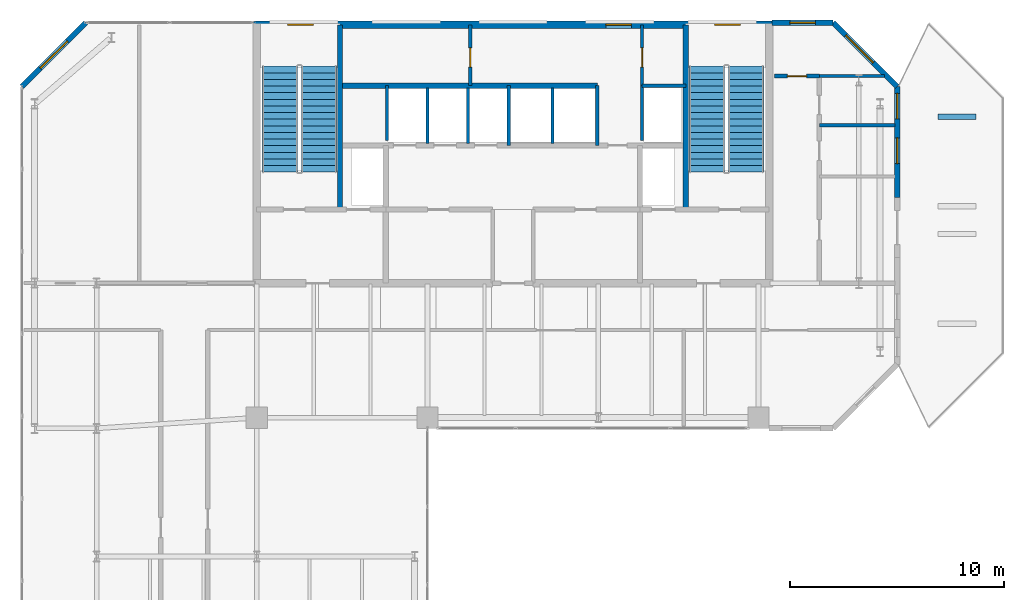
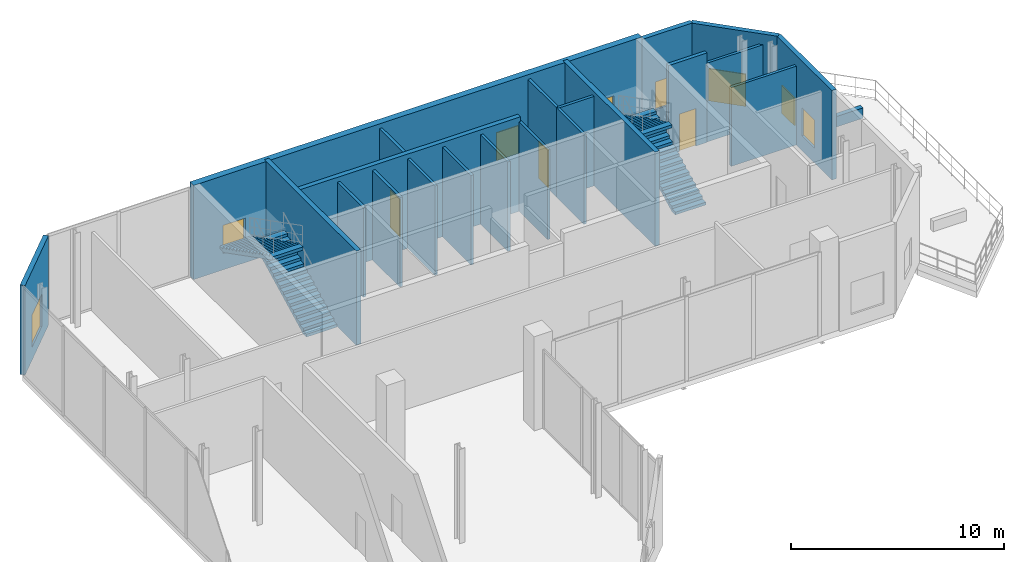
# One storey, part 15 of 17: 22 walls, 8 windows, 4 stair flights, 3 doors, 11 openings, 2 elements without a shape of their own.
"""IFC4 building model written with IfcOpenShell, lengths in metres."""

from ifc_helpers import new_model, si_unit, direction, frame, frame_2d, origin, place, context, subcontext, project, spatial, polyline, rectangle, outline, extrude, material, layer, layer_set, type_object, element, fill, aggregate, save


model = new_model("IFC4")

# Units and contexts
model_context = context("Model", 3, precision=1e-05, world=origin(), true_north=direction((0.0, 1.0)))
body_context = subcontext(model_context, "Body", "Model", "MODEL_VIEW")
ifc_project = project(units=[si_unit("LENGTHUNIT", "METRE"), si_unit("AREAUNIT", "SQUARE_METRE"), si_unit("VOLUMEUNIT", "CUBIC_METRE"), si_unit("PLANEANGLEUNIT", "RADIAN"), si_unit("MASSUNIT", "GRAM", prefix="KILO")], contexts=[model_context])

# Site, building, storey
site_placement = place(None, origin())
site = spatial("IfcSite", under=ifc_project, at=site_placement, CompositionType="ELEMENT")
building_placement = place(site_placement, origin())
building = spatial("IfcBuilding", under=site, at=building_placement, Name="Catumbela Crestline Tower", CompositionType="ELEMENT")
storey_placement = place(building_placement, frame((0.0, 0.0, 213.0)))
storey = spatial("IfcBuildingStorey", under=building, at=storey_placement, Name="L55", CompositionType="ELEMENT", Elevation=213.0)

# Walls
ifc_material_1 = material(Name="Concrete C50/60", Category="concrete")
ifc_layer_1 = layer(ifc_material_1, 0.25, Name="Concrete C50/60")
ifc_layer_set_1 = layer_set([ifc_layer_1], Name="Concrete C50/60")
wall_type_1 = type_object("IfcWallType", Name="CW-250D", PredefinedType="SHEAR", material=ifc_layer_set_1)
for number, where, z_axis, x_axis, name in (
    (1, (19.9, 34.25, 0.0), (0.0, 0.0, 1.0), (0.0, 1.0, 0.0), "L55 Structural Core Shear Wall WWEB"),
    (2, (36.1, 34.25, 0.0), (0.0, 0.0, 1.0), (0.0, 1.0, 0.0), "L55 Structural Core Shear Wall EWEB"),
):
    element("IfcWall", number, at=place(storey_placement, frame(where, z_axis=z_axis, x_axis=x_axis)), inside=storey, type_object=wall_type_1, Name=name, PredefinedType="SHEAR", context=body_context, shape_type="SweptSolid", body=[
        extrude(rectangle(XDim=8.65, YDim=0.25, at=frame_2d((4.325, 0.0))), origin(), (0.0, 0.0, 1.0), 5.4),
    ])
wall_1_placement = place(storey_placement, frame((19.9, 40.05, 0.0), z_axis=(0.0, 0.0, 1.0), x_axis=(1.0, 0.0, 0.0)))
element("IfcWall", 3, at=wall_1_placement, inside=storey, type_object=wall_type_1, Name="L55 Structural Core Shear Wall COREN", PredefinedType="SHEAR", context=body_context, shape_type="SweptSolid", body=[
    extrude(rectangle(XDim=12.05, YDim=0.25, at=frame_2d((6.025, 0.0))), origin(), (0.0, 0.0, 1.0), 5.4),
])

# Wall, openings, windows
ifc_layer_2 = layer(ifc_material_1, 0.35, Name="Concrete C50/60")
ifc_layer_set_2 = layer_set([ifc_layer_2], Name="Concrete C50/60")
wall_type_2 = type_object("IfcWallType", Name="CW-350E", PredefinedType="SHEAR", material=ifc_layer_set_2)
wall_2_placement = place(storey_placement, frame((15.85, 42.9, 0.0), z_axis=(0.0, 0.0, 1.0), x_axis=(1.0, 0.0, 0.0)))
wall_2 = element("IfcWall", 4, at=wall_2_placement, inside=storey, type_object=wall_type_2, Name="L55 Structural Core Shear Wall N", PredefinedType="SHEAR", context=body_context, shape_type="SweptSolid", body=[
    extrude(rectangle(XDim=24.3, YDim=0.35, at=frame_2d((12.15, 0.0))), origin(), (0.0, 0.0, 1.0), 5.4),
])
opening_1_placement = place(wall_2_placement, frame((1.6, 0.0, 0.95)))
opening_1 = element("IfcOpeningElement", 5, at=opening_1_placement, cuts=wall_2, Name="Opening WN-02", PredefinedType="OPENING", context=body_context, shape_type="SweptSolid", body=[
    extrude(rectangle(XDim=1.2, YDim=1.6, at=frame_2d((0.6, 0.8))), frame((0.0, 0.185, 0.0), z_axis=(0.0, -1.0, 0.0), x_axis=(1.0, 0.0, 0.0)), (0.0, 0.0, 1.0), 0.37),
])
opening_2_placement = place(wall_2_placement, frame((16.5, 0.0, 0.95)))
opening_2 = element("IfcOpeningElement", 6, at=opening_2_placement, cuts=wall_2, Name="Opening WN-02", PredefinedType="OPENING", context=body_context, shape_type="SweptSolid", body=[
    extrude(rectangle(XDim=1.2, YDim=1.6, at=frame_2d((0.6, 0.8))), frame((0.0, 0.185, 0.0), z_axis=(0.0, -1.0, 0.0), x_axis=(1.0, 0.0, 0.0)), (0.0, 0.0, 1.0), 0.37),
])
opening_3_placement = place(wall_2_placement, frame((21.6, 0.0, 0.95)))
opening_3 = element("IfcOpeningElement", 7, at=opening_3_placement, cuts=wall_2, Name="Opening WN-02", PredefinedType="OPENING", context=body_context, shape_type="SweptSolid", body=[
    extrude(rectangle(XDim=1.2, YDim=1.6, at=frame_2d((0.6, 0.8))), frame((0.0, 0.185, 0.0), z_axis=(0.0, -1.0, 0.0), x_axis=(1.0, 0.0, 0.0)), (0.0, 0.0, 1.0), 0.37),
])
ifc_material_2 = material(Name="Low-E laminated solar-control double glazing", Category="glass")
window_type_1 = type_object("IfcWindowType", Name="WO-1200", PartitioningType="SINGLE_PANEL", PredefinedType="WINDOW", material=ifc_material_2)
window_1_placement = place(opening_1_placement, origin())
window_1 = element("IfcWindow", 8, at=window_1_placement, inside=storey, type_object=window_type_1, Name="L55 North Core Daylight Vision Window 364", OverallHeight=1.6, OverallWidth=1.2, PartitioningType="SINGLE_PANEL", PredefinedType="WINDOW", context=body_context, shape_type="SweptSolid", body=[
    extrude(rectangle(XDim=1.2, YDim=1.6, at=frame_2d((0.6, 0.8))), frame((0.0, 0.03, 0.0), z_axis=(0.0, -1.0, 0.0), x_axis=(1.0, 0.0, 0.0)), (0.0, 0.0, 1.0), 0.06),
])
fill(opening_1, window_1)
window_2_placement = place(opening_2_placement, origin())
window_2 = element("IfcWindow", 9, at=window_2_placement, inside=storey, type_object=window_type_1, Name="L55 North Core Daylight Vision Window 365", OverallHeight=1.6, OverallWidth=1.2, PartitioningType="SINGLE_PANEL", PredefinedType="WINDOW", context=body_context, shape_type="SweptSolid", body=[
    extrude(rectangle(XDim=1.2, YDim=1.6, at=frame_2d((0.6, 0.8))), frame((0.0, 0.03, 0.0), z_axis=(0.0, -1.0, 0.0), x_axis=(1.0, 0.0, 0.0)), (0.0, 0.0, 1.0), 0.06),
])
fill(opening_2, window_2)
window_3_placement = place(opening_3_placement, origin())
window_3 = element("IfcWindow", 10, at=window_3_placement, inside=storey, type_object=window_type_1, Name="L55 North Core Daylight Vision Window 366", OverallHeight=1.6, OverallWidth=1.2, PartitioningType="SINGLE_PANEL", PredefinedType="WINDOW", context=body_context, shape_type="SweptSolid", body=[
    extrude(rectangle(XDim=1.2, YDim=1.6, at=frame_2d((0.6, 0.8))), frame((0.0, 0.03, 0.0), z_axis=(0.0, -1.0, 0.0), x_axis=(1.0, 0.0, 0.0)), (0.0, 0.0, 1.0), 0.06),
])
fill(opening_3, window_3)

# Wall, opening, door
ifc_material_3 = material(Name="Acoustic gypsum and mineral-wool partition")
ifc_layer_3 = layer(ifc_material_3, 0.2, Name="Acoustic gypsum and mineral-wool partition")
ifc_layer_set_3 = layer_set([ifc_layer_3], Name="Acoustic gypsum and mineral-wool partition")
wall_type_3 = type_object("IfcWallType", Name="WC-200", PredefinedType="PARTITIONING", material=ifc_layer_set_3)
wall_3_placement = place(storey_placement, frame((40.25, 40.5, 0.0), z_axis=(0.0, 0.0, 1.0), x_axis=(1.0, 0.0, 0.0)))
wall_3 = element("IfcWall", 11, at=wall_3_placement, inside=storey, type_object=wall_type_3, Name="L55 Interior Partition PW-L55-SKSTO", PredefinedType="PARTITIONING", context=body_context, shape_type="SweptSolid", body=[
    extrude(rectangle(XDim=2.1, YDim=0.2, at=frame_2d((1.05, 0.0))), origin(), (0.0, 0.0, 1.0), 5.13),
])
opening_4_placement = place(wall_3_placement, frame((0.6, 0.0, 0.0)))
opening_4 = element("IfcOpeningElement", 12, at=opening_4_placement, cuts=wall_3, Name="Opening DF9-090", PredefinedType="OPENING", context=body_context, shape_type="SweptSolid", body=[
    extrude(rectangle(XDim=0.9, YDim=2.15, at=frame_2d((0.45, 1.075))), frame((0.0, 0.11, 0.0), z_axis=(0.0, -1.0, 0.0), x_axis=(1.0, 0.0, 0.0)), (0.0, 0.0, 1.0), 0.22),
])
ifc_material_4 = material(Name="Stainless steel EN 1.4401", Category="steel")
door_type = type_object("IfcDoorType", Name="DF9-090", OperationType="NOTDEFINED", PredefinedType="DOOR", material=ifc_material_4)
door_1_placement = place(opening_4_placement, origin())
door_1 = element("IfcDoor", 13, at=door_1_placement, inside=storey, type_object=door_type, Name="L55 Interior Door DR-L55-SKSTO", OperationType="SINGLE_SWING_LEFT", OverallHeight=2.15, OverallWidth=0.9, PredefinedType="DOOR", context=body_context, shape_type="SweptSolid", body=[
    extrude(rectangle(XDim=0.9, YDim=2.15, at=frame_2d((0.45, 1.075))), frame((0.0, 0.025, 0.0), z_axis=(0.0, -1.0, 0.0), x_axis=(1.0, 0.0, 0.0)), (0.0, 0.0, 1.0), 0.05),
])
fill(opening_4, door_1)

# Wall, openings, windows
ifc_material_5 = material(Name="Angolan grey-ochre granite", Category="masonry")
ifc_layer_4 = layer(ifc_material_5, 0.25, Name="Angolan grey-ochre granite")
ifc_layer_set_4 = layer_set([ifc_layer_4], Name="Angolan grey-ochre granite")
wall_type_4 = type_object("IfcWallType", Name="WE-250", PredefinedType="STANDARD", material=ifc_layer_set_4)
wall_4_placement = place(storey_placement, frame((46.0, 34.8, 0.0), z_axis=(0.0, 0.0, 1.0), x_axis=(0.0, 1.0, 0.0)))
wall_4 = element("IfcWall", 14, at=wall_4_placement, inside=storey, type_object=wall_type_4, Name="L55 Granite Punched Window Wall 5-2", PredefinedType="STANDARD", context=body_context, shape_type="SweptSolid", body=[
    extrude(rectangle(XDim=5.2, YDim=0.25, at=frame_2d((2.6, 0.0))), origin(), (0.0, 0.0, 1.0), 5.13),
])
opening_5_placement = place(wall_4_placement, frame((1.6, 0.0, 0.85)))
opening_5 = element("IfcOpeningElement", 15, at=opening_5_placement, cuts=wall_4, Name="Opening WN-02", PredefinedType="OPENING", context=body_context, shape_type="SweptSolid", body=[
    extrude(rectangle(XDim=1.2, YDim=1.6, at=frame_2d((0.6, 0.8))), frame((0.0, 0.135, 0.0), z_axis=(0.0, -1.0, 0.0), x_axis=(1.0, 0.0, 0.0)), (0.0, 0.0, 1.0), 0.27),
])
opening_6_placement = place(wall_4_placement, frame((3.69, 0.0, 0.85)))
opening_6 = element("IfcOpeningElement", 16, at=opening_6_placement, cuts=wall_4, Name="Opening WN-02", PredefinedType="OPENING", context=body_context, shape_type="SweptSolid", body=[
    extrude(rectangle(XDim=1.2, YDim=1.6, at=frame_2d((0.6, 0.8))), frame((0.0, 0.135, 0.0), z_axis=(0.0, -1.0, 0.0), x_axis=(1.0, 0.0, 0.0)), (0.0, 0.0, 1.0), 0.27),
])
window_4_placement = place(opening_5_placement, origin())
window_4 = element("IfcWindow", 17, at=window_4_placement, inside=storey, type_object=window_type_1, Name="L55 Facade Vision Window 373", OverallHeight=1.6, OverallWidth=1.2, PartitioningType="SINGLE_PANEL", PredefinedType="WINDOW", context=body_context, shape_type="SweptSolid", body=[
    extrude(rectangle(XDim=1.2, YDim=1.6, at=frame_2d((0.6, 0.8))), frame((0.0, 0.03, 0.0), z_axis=(0.0, -1.0, 0.0), x_axis=(1.0, 0.0, 0.0)), (0.0, 0.0, 1.0), 0.06),
])
fill(opening_5, window_4)
window_5_placement = place(opening_6_placement, origin())
window_5 = element("IfcWindow", 18, at=window_5_placement, inside=storey, type_object=window_type_1, Name="L55 Facade Vision Window 374", OverallHeight=1.6, OverallWidth=1.2, PartitioningType="SINGLE_PANEL", PredefinedType="WINDOW", context=body_context, shape_type="SweptSolid", body=[
    extrude(rectangle(XDim=1.2, YDim=1.6, at=frame_2d((0.6, 0.8))), frame((0.0, 0.03, 0.0), z_axis=(0.0, -1.0, 0.0), x_axis=(1.0, 0.0, 0.0)), (0.0, 0.0, 1.0), 0.06),
])
fill(opening_6, window_5)

# Wall, opening, window
wall_5_placement = place(storey_placement, frame((46.0, 40.0, 0.0), z_axis=(0.0, 0.0, 1.0), x_axis=(-0.707106781187, 0.707106781187, 0.0)))
wall_5 = element("IfcWall", 19, at=wall_5_placement, inside=storey, type_object=wall_type_4, Name="L55 Granite Punched Window Wall 6-1", PredefinedType="STANDARD", context=body_context, shape_type="SweptSolid", body=[
    extrude(rectangle(XDim=4.2426, YDim=0.25, at=frame_2d((2.1213, 0.0))), origin(), (0.0, 0.0, 1.0), 5.13),
])
opening_7_placement = place(wall_5_placement, frame((1.6002, 0.0, 0.75)))
opening_7 = element("IfcOpeningElement", 20, at=opening_7_placement, cuts=wall_5, Name="Opening WN-01", PredefinedType="OPENING", context=body_context, shape_type="SweptSolid", body=[
    extrude(rectangle(XDim=1.8, YDim=1.85, at=frame_2d((0.9, 0.925))), frame((0.0, 0.135, 0.0), z_axis=(0.0, -1.0, 0.0), x_axis=(1.0, 0.0, 0.0)), (0.0, 0.0, 1.0), 0.27),
])
window_type_2 = type_object("IfcWindowType", Name="WF-1800", PartitioningType="SINGLE_PANEL", PredefinedType="WINDOW", material=ifc_material_2)
window_6_placement = place(opening_7_placement, origin())
window_6 = element("IfcWindow", 21, at=window_6_placement, inside=storey, type_object=window_type_2, Name="L55 Facade Vision Window 375", OverallHeight=1.85, OverallWidth=1.8, PartitioningType="SINGLE_PANEL", PredefinedType="WINDOW", context=body_context, shape_type="SweptSolid", body=[
    extrude(rectangle(XDim=1.8, YDim=1.85, at=frame_2d((0.9, 0.925))), frame((0.0, 0.03, 0.0), z_axis=(0.0, -1.0, 0.0), x_axis=(1.0, 0.0, 0.0)), (0.0, 0.0, 1.0), 0.06),
])
fill(opening_7, window_6)

wall_6_placement = place(storey_placement, frame((43.0, 43.0, 0.0), z_axis=(0.0, 0.0, 1.0), x_axis=(-1.0, 0.0, 0.0)))
wall_6 = element("IfcWall", 22, at=wall_6_placement, inside=storey, type_object=wall_type_4, Name="L55 Granite Punched Window Wall 7-1", PredefinedType="STANDARD", context=body_context, shape_type="SweptSolid", body=[
    extrude(rectangle(XDim=2.86, YDim=0.25, at=frame_2d((1.43, 0.0))), origin(), (0.0, 0.0, 1.0), 5.13),
])
opening_8_placement = place(wall_6_placement, frame((0.83, 0.0, 0.85)))
opening_8 = element("IfcOpeningElement", 23, at=opening_8_placement, cuts=wall_6, Name="Opening WN-02", PredefinedType="OPENING", context=body_context, shape_type="SweptSolid", body=[
    extrude(rectangle(XDim=1.2, YDim=1.6, at=frame_2d((0.6, 0.8))), frame((0.0, 0.135, 0.0), z_axis=(0.0, -1.0, 0.0), x_axis=(1.0, 0.0, 0.0)), (0.0, 0.0, 1.0), 0.27),
])
window_7_placement = place(opening_8_placement, origin())
window_7 = element("IfcWindow", 24, at=window_7_placement, inside=storey, type_object=window_type_1, Name="L55 Facade Vision Window 376", OverallHeight=1.6, OverallWidth=1.2, PartitioningType="SINGLE_PANEL", PredefinedType="WINDOW", context=body_context, shape_type="SweptSolid", body=[
    extrude(rectangle(XDim=1.2, YDim=1.6, at=frame_2d((0.6, 0.8))), frame((0.0, 0.03, 0.0), z_axis=(0.0, -1.0, 0.0), x_axis=(1.0, 0.0, 0.0)), (0.0, 0.0, 1.0), 0.06),
])
fill(opening_8, window_7)

wall_7_placement = place(storey_placement, frame((8.0, 43.0, 0.0), z_axis=(0.0, 0.0, 1.0), x_axis=(-0.707106781187, -0.707106781187, 0.0)))
wall_7 = element("IfcWall", 25, at=wall_7_placement, inside=storey, type_object=wall_type_4, Name="L55 Granite Punched Window Wall 8-1", PredefinedType="STANDARD", context=body_context, shape_type="SweptSolid", body=[
    extrude(rectangle(XDim=4.2426, YDim=0.25, at=frame_2d((2.1213, 0.0))), origin(), (0.0, 0.0, 1.0), 5.13),
])
opening_9_placement = place(wall_7_placement, frame((1.2213, 0.0, 0.75)))
opening_9 = element("IfcOpeningElement", 26, at=opening_9_placement, cuts=wall_7, Name="Opening WN-01", PredefinedType="OPENING", context=body_context, shape_type="SweptSolid", body=[
    extrude(rectangle(XDim=1.8, YDim=1.85, at=frame_2d((0.9, 0.925))), frame((0.0, 0.135, 0.0), z_axis=(0.0, -1.0, 0.0), x_axis=(1.0, 0.0, 0.0)), (0.0, 0.0, 1.0), 0.27),
])
window_8_placement = place(opening_9_placement, origin())
window_8 = element("IfcWindow", 27, at=window_8_placement, inside=storey, type_object=window_type_2, Name="L55 Facade Vision Window 377", OverallHeight=1.85, OverallWidth=1.8, PartitioningType="SINGLE_PANEL", PredefinedType="WINDOW", context=body_context, shape_type="SweptSolid", body=[
    extrude(rectangle(XDim=1.8, YDim=1.85, at=frame_2d((0.9, 0.925))), frame((0.0, 0.03, 0.0), z_axis=(0.0, -1.0, 0.0), x_axis=(1.0, 0.0, 0.0)), (0.0, 0.0, 1.0), 0.06),
])
fill(opening_9, window_8)

# Wall
ifc_layer_5 = layer(ifc_material_3, 0.15, Name="Acoustic gypsum and mineral-wool partition")
ifc_layer_set_5 = layer_set([ifc_layer_5], Name="Acoustic gypsum and mineral-wool partition")
wall_type_5 = type_object("IfcWallType", Name="WP-150", PredefinedType="PARTITIONING", material=ifc_layer_set_5)
wall_8_placement = place(storey_placement, frame((34.05, 40.05, 0.0), z_axis=(0.0, 0.0, 1.0), x_axis=(1.0, 0.0, 0.0)))
element("IfcWall", 28, at=wall_8_placement, inside=storey, type_object=wall_type_5, Name="L55 Interior Partition PW-L55-CR-ES", PredefinedType="PARTITIONING", context=body_context, shape_type="SweptSolid", body=[
    extrude(rectangle(XDim=2.05, YDim=0.15, at=frame_2d((1.025, 0.0))), origin(), (0.0, 0.0, 1.0), 5.13),
])

# Wall, opening, door
wall_9_placement = place(storey_placement, frame((34.05, 40.05, 0.0), z_axis=(0.0, 0.0, 1.0), x_axis=(0.0, 1.0, 0.0)))
wall_9 = element("IfcWall", 29, at=wall_9_placement, inside=storey, type_object=wall_type_5, Name="L55 Interior Partition PW-L55-CR-EW", PredefinedType="PARTITIONING", context=body_context, shape_type="SweptSolid", body=[
    extrude(rectangle(XDim=2.85, YDim=0.15, at=frame_2d((1.425, 0.0))), origin(), (0.0, 0.0, 1.0), 5.13),
])
opening_10_placement = place(wall_9_placement, frame((0.865, 0.0, 0.0)))
opening_10 = element("IfcOpeningElement", 30, at=opening_10_placement, cuts=wall_9, Name="Opening DF9-090", PredefinedType="OPENING", context=body_context, shape_type="SweptSolid", body=[
    extrude(rectangle(XDim=0.9, YDim=2.15, at=frame_2d((0.45, 1.075))), frame((0.0, 0.085, 0.0), z_axis=(0.0, -1.0, 0.0), x_axis=(1.0, 0.0, 0.0)), (0.0, 0.0, 1.0), 0.17),
])
door_2_placement = place(opening_10_placement, origin())
door_2 = element("IfcDoor", 31, at=door_2_placement, inside=storey, type_object=door_type, Name="L55 Interior Door DR-L55-CREAST", OperationType="SINGLE_SWING_RIGHT", OverallHeight=2.15, OverallWidth=0.9, PredefinedType="DOOR", context=body_context, shape_type="SweptSolid", body=[
    extrude(rectangle(XDim=0.9, YDim=2.15, at=frame_2d((0.45, 1.075))), frame((0.0, 0.025, 0.0), z_axis=(0.0, -1.0, 0.0), x_axis=(1.0, 0.0, 0.0)), (0.0, 0.0, 1.0), 0.05),
])
fill(opening_10, door_2)

wall_10_placement = place(storey_placement, frame((26.0, 40.05, 0.0), z_axis=(0.0, 0.0, 1.0), x_axis=(0.0, 1.0, 0.0)))
wall_10 = element("IfcWall", 32, at=wall_10_placement, inside=storey, type_object=wall_type_5, Name="L55 Interior Partition PW-L55-CR-WW", PredefinedType="PARTITIONING", context=body_context, shape_type="SweptSolid", body=[
    extrude(rectangle(XDim=2.85, YDim=0.15, at=frame_2d((1.425, 0.0))), origin(), (0.0, 0.0, 1.0), 5.13),
])
opening_11_placement = place(wall_10_placement, frame((0.865, 0.0, 0.0)))
opening_11 = element("IfcOpeningElement", 33, at=opening_11_placement, cuts=wall_10, Name="Opening DF9-090", PredefinedType="OPENING", context=body_context, shape_type="SweptSolid", body=[
    extrude(rectangle(XDim=0.9, YDim=2.15, at=frame_2d((0.45, 1.075))), frame((0.0, 0.085, 0.0), z_axis=(0.0, -1.0, 0.0), x_axis=(1.0, 0.0, 0.0)), (0.0, 0.0, 1.0), 0.17),
])
door_3_placement = place(opening_11_placement, origin())
door_3 = element("IfcDoor", 34, at=door_3_placement, inside=storey, type_object=door_type, Name="L55 Interior Door DR-L55-CRWEST", OperationType="SINGLE_SWING_LEFT", OverallHeight=2.15, OverallWidth=0.9, PredefinedType="DOOR", context=body_context, shape_type="SweptSolid", body=[
    extrude(rectangle(XDim=0.9, YDim=2.15, at=frame_2d((0.45, 1.075))), frame((0.0, 0.025, 0.0), z_axis=(0.0, -1.0, 0.0), x_axis=(1.0, 0.0, 0.0)), (0.0, 0.0, 1.0), 0.05),
])
fill(opening_11, door_3)

# Walls
wall_11_placement = place(storey_placement, frame((42.35, 38.2, 0.0), z_axis=(0.0, 0.0, 1.0), x_axis=(1.0, 0.0, 0.0)))
element("IfcWall", 35, at=wall_11_placement, inside=storey, type_object=wall_type_5, Name="L55 Interior Partition PW-L55-WCM", PredefinedType="PARTITIONING", context=body_context, shape_type="SweptSolid", body=[
    extrude(rectangle(XDim=3.55, YDim=0.15, at=frame_2d((1.775, 0.0))), origin(), (0.0, 0.0, 1.0), 4.52),
])
wall_12_placement = place(storey_placement, frame((42.35, 40.5, 0.0), z_axis=(0.0, 0.0, 1.0), x_axis=(1.0, 0.0, 0.0)))
element("IfcWall", 36, at=wall_12_placement, inside=storey, type_object=wall_type_5, Name="L55 Interior Partition PW-L55-WCN", PredefinedType="PARTITIONING", context=body_context, shape_type="SweptSolid", body=[
    extrude(rectangle(XDim=3.05, YDim=0.15, at=frame_2d((1.525, 0.0))), origin(), (0.0, 0.0, 1.0), 4.52),
])
ifc_material_6 = material(Name="Concrete C40/50", Category="concrete")
ifc_layer_6 = layer(ifc_material_6, 0.25, Name="Concrete C40/50")
ifc_layer_set_6 = layer_set([ifc_layer_6], Name="Concrete C40/50")
wall_type_6 = type_object("IfcWallType", Name="WPL-250", PredefinedType="USERDEFINED", material=ifc_layer_set_6)
wall_13_placement = place(storey_placement, frame((47.9, 38.6, -0.02), z_axis=(0.0, 0.0, 1.0), x_axis=(1.0, 0.0, 0.0)))
element("IfcWall", 37, at=wall_13_placement, inside=storey, type_object=wall_type_6, Name="L55 Planted Sky-Garden GRC Planter Kerb 24", ObjectType="PLANTER", PredefinedType="USERDEFINED", context=body_context, shape_type="SweptSolid", body=[
    extrude(rectangle(XDim=1.8, YDim=0.25, at=frame_2d((0.9, 0.0))), origin(), (0.0, 0.0, 1.0), 0.6),
])
ifc_layer_7 = layer(ifc_material_3, 0.15, Name="Acoustic gypsum and mineral-wool partition")
ifc_layer_set_7 = layer_set([ifc_layer_7], Name="Acoustic gypsum and mineral-wool partition")
wall_type_7 = type_object("IfcWallType", Name="WS-150", PredefinedType="PLUMBINGWALL", material=ifc_layer_set_7)
wall_14_placement = place(storey_placement, frame((22.1, 37.4897, 0.0), z_axis=(0.0, 0.0, 1.0), x_axis=(0.0, 1.0, 0.0)))
element("IfcWall", 38, at=wall_14_placement, inside=storey, type_object=wall_type_7, Name="L55 Interior Partition PW-L55-SHH0", PredefinedType="PLUMBINGWALL", context=body_context, shape_type="SweptSolid", body=[
    extrude(rectangle(XDim=2.5603, YDim=0.15, at=frame_2d((1.2801, 0.0))), origin(), (0.0, 0.0, 1.0), 5.13),
])
wall_15_placement = place(storey_placement, frame((27.8, 37.25, 0.0), z_axis=(0.0, 0.0, 1.0), x_axis=(0.0, 1.0, 0.0)))
element("IfcWall", 39, at=wall_15_placement, inside=storey, type_object=wall_type_7, Name="L55 Interior Partition PW-L55-SHH3", PredefinedType="PLUMBINGWALL", context=body_context, shape_type="SweptSolid", body=[
    extrude(rectangle(XDim=2.8, YDim=0.15, at=frame_2d((1.4, 0.0))), origin(), (0.0, 0.0, 1.0), 5.13),
])
for number, where, z_axis, x_axis, name in (
    (40, (24.0, 37.35, 0.0), (0.0, 0.0, 1.0), (0.0, 1.0, 0.0), "L55 Interior Partition PW-L55-SHH1"),
    (41, (25.9, 37.35, 0.0), (0.0, 0.0, 1.0), (0.0, 1.0, 0.0), "L55 Interior Partition PW-L55-SHH2"),
):
    element("IfcWall", number, at=place(storey_placement, frame(where, z_axis=z_axis, x_axis=x_axis)), inside=storey, type_object=wall_type_7, Name=name, PredefinedType="PLUMBINGWALL", context=body_context, shape_type="SweptSolid", body=[
        extrude(rectangle(XDim=2.6, YDim=0.15, at=frame_2d((1.3, 0.0))), origin(), (0.0, 0.0, 1.0), 5.13),
    ])
wall_16_placement = place(storey_placement, frame((31.95, 37.25, 0.0), z_axis=(0.0, 0.0, 1.0), x_axis=(0.0, 1.0, 0.0)))
element("IfcWall", 42, at=wall_16_placement, inside=storey, type_object=wall_type_7, Name="L55 Interior Partition PW-L55-SHEX2E", PredefinedType="PLUMBINGWALL", context=body_context, shape_type="SweptSolid", body=[
    extrude(rectangle(XDim=2.8, YDim=0.15, at=frame_2d((1.4, 0.0))), origin(), (0.0, 0.0, 1.0), 5.13),
])
wall_17_placement = place(storey_placement, frame((29.85, 37.35, 0.0), z_axis=(0.0, 0.0, 1.0), x_axis=(0.0, 1.0, 0.0)))
element("IfcWall", 43, at=wall_17_placement, inside=storey, type_object=wall_type_7, Name="L55 Interior Partition PW-L55-SHEX1", PredefinedType="PLUMBINGWALL", context=body_context, shape_type="SweptSolid", body=[
    extrude(rectangle(XDim=2.6, YDim=0.15, at=frame_2d((1.3, 0.0))), origin(), (0.0, 0.0, 1.0), 5.13),
])
wall_18_placement = place(storey_placement, frame((34.05, 37.4734, 0.0), z_axis=(0.0, 0.0, 1.0), x_axis=(0.0, 1.0, 0.0)))
element("IfcWall", 44, at=wall_18_placement, inside=storey, type_object=wall_type_7, Name="L55 Interior Partition PW-L55-RISW", PredefinedType="PLUMBINGWALL", context=body_context, shape_type="SweptSolid", body=[
    extrude(rectangle(XDim=2.5766, YDim=0.15, at=frame_2d((1.2883, 0.0))), origin(), (0.0, 0.0, 1.0), 5.13),
])

# Stair, stair flights
ifc_material_7 = material(Name="Concrete C45/55", Category="concrete")
stair_type = type_object("IfcStairType", Name="ST-DLG", PredefinedType="HALF_TURN_STAIR", material=ifc_material_7)
stair_1_placement = place(storey_placement, origin())
stair_1 = element("IfcStair", 45, at=stair_1_placement, inside=storey, type_object=stair_type, Name="L55 West Core Pressurised Exit Stair ST-01", PredefinedType="HALF_TURN_STAIR")
stair_flight_type = type_object("IfcStairFlightType", Name="SF-1588", PredefinedType="STRAIGHT", material=ifc_material_7)
stair_flight_1_placement = place(storey_placement, frame((18.92, 36.0, 0.0), z_axis=(0.0, 0.0, 1.0), x_axis=(0.0, 1.0, 0.0)))
stair_flight_1 = element("IfcStairFlight", 46, at=stair_flight_1_placement, type_object=stair_flight_type, Name="ST-01 flight 1", NumberOfRisers=17, NumberOfTreads=16, PredefinedType="STRAIGHT", RiserHeight=0.158823529, TreadLength=0.31, context=body_context, shape_type="SweptSolid", body=[
    extrude(outline(polyline([(0.0, 0.0), (0.0, 0.1588), (0.31, 0.1588), (0.31, 0.3176), (0.62, 0.3176), (0.62, 0.4765), (0.93, 0.4765), (0.93, 0.6353), (1.24, 0.6353), (1.24, 0.7941), (1.55, 0.7941), (1.55, 0.9529), (1.86, 0.9529), (1.86, 1.1118), (2.17, 1.1118), (2.17, 1.2706), (2.48, 1.2706), (2.48, 1.4294), (2.79, 1.4294), (2.79, 1.5882), (3.1, 1.5882), (3.1, 1.7471), (3.41, 1.7471), (3.41, 1.9059), (3.72, 1.9059), (3.72, 2.0647), (4.03, 2.0647), (4.03, 2.2235), (4.34, 2.2235), (4.34, 2.3824), (4.65, 2.3824), (4.65, 2.5412), (4.96, 2.5412), (4.96, 2.7), (4.96, 2.3614), (0.3509, 0.0), (0.0, 0.0)])), frame((0.0, 0.83, 0.0), z_axis=(0.0, -1.0, 0.0), x_axis=(1.0, 0.0, 0.0)), (0.0, 0.0, 1.0), 1.66),
])
stair_flight_2_placement = place(storey_placement, frame((17.08, 40.96, 2.7), z_axis=(0.0, 0.0, 1.0), x_axis=(0.0, -1.0, 0.0)))
stair_flight_2 = element("IfcStairFlight", 47, at=stair_flight_2_placement, type_object=stair_flight_type, Name="ST-01 flight 2", NumberOfRisers=17, NumberOfTreads=16, PredefinedType="STRAIGHT", RiserHeight=0.158823529, TreadLength=0.31, context=body_context, shape_type="SweptSolid", body=[
    extrude(outline(polyline([(0.0, 0.0), (0.0, 0.1588), (0.31, 0.1588), (0.31, 0.3176), (0.62, 0.3176), (0.62, 0.4765), (0.93, 0.4765), (0.93, 0.6353), (1.24, 0.6353), (1.24, 0.7941), (1.55, 0.7941), (1.55, 0.9529), (1.86, 0.9529), (1.86, 1.1118), (2.17, 1.1118), (2.17, 1.2706), (2.48, 1.2706), (2.48, 1.4294), (2.79, 1.4294), (2.79, 1.5882), (3.1, 1.5882), (3.1, 1.7471), (3.41, 1.7471), (3.41, 1.9059), (3.72, 1.9059), (3.72, 2.0647), (4.03, 2.0647), (4.03, 2.2235), (4.34, 2.2235), (4.34, 2.3824), (4.65, 2.3824), (4.65, 2.5412), (4.96, 2.5412), (4.96, 2.7), (4.96, 2.3614), (0.3509, 0.0), (0.0, 0.0)])), frame((0.0, 0.83, 0.0), z_axis=(0.0, -1.0, 0.0), x_axis=(1.0, 0.0, 0.0)), (0.0, 0.0, 1.0), 1.66),
])
aggregate(stair_1, [stair_flight_1, stair_flight_2])

stair_2_placement = place(storey_placement, origin())
stair_2 = element("IfcStair", 48, at=stair_2_placement, inside=storey, type_object=stair_type, Name="L55 East Core Pressurised Exit Stair ST-02", PredefinedType="HALF_TURN_STAIR")
stair_flight_3_placement = place(storey_placement, frame((38.92, 36.0, 0.0), z_axis=(0.0, 0.0, 1.0), x_axis=(0.0, 1.0, 0.0)))
stair_flight_3 = element("IfcStairFlight", 49, at=stair_flight_3_placement, type_object=stair_flight_type, Name="ST-02 flight 1", NumberOfRisers=17, NumberOfTreads=16, PredefinedType="STRAIGHT", RiserHeight=0.158823529, TreadLength=0.31, context=body_context, shape_type="SweptSolid", body=[
    extrude(outline(polyline([(0.0, 0.0), (0.0, 0.1588), (0.31, 0.1588), (0.31, 0.3176), (0.62, 0.3176), (0.62, 0.4765), (0.93, 0.4765), (0.93, 0.6353), (1.24, 0.6353), (1.24, 0.7941), (1.55, 0.7941), (1.55, 0.9529), (1.86, 0.9529), (1.86, 1.1118), (2.17, 1.1118), (2.17, 1.2706), (2.48, 1.2706), (2.48, 1.4294), (2.79, 1.4294), (2.79, 1.5882), (3.1, 1.5882), (3.1, 1.7471), (3.41, 1.7471), (3.41, 1.9059), (3.72, 1.9059), (3.72, 2.0647), (4.03, 2.0647), (4.03, 2.2235), (4.34, 2.2235), (4.34, 2.3824), (4.65, 2.3824), (4.65, 2.5412), (4.96, 2.5412), (4.96, 2.7), (4.96, 2.3614), (0.3509, 0.0), (0.0, 0.0)])), frame((0.0, 0.83, 0.0), z_axis=(0.0, -1.0, 0.0), x_axis=(1.0, 0.0, 0.0)), (0.0, 0.0, 1.0), 1.66),
])
stair_flight_4_placement = place(storey_placement, frame((37.08, 40.96, 2.7), z_axis=(0.0, 0.0, 1.0), x_axis=(0.0, -1.0, 0.0)))
stair_flight_4 = element("IfcStairFlight", 50, at=stair_flight_4_placement, type_object=stair_flight_type, Name="ST-02 flight 2", NumberOfRisers=17, NumberOfTreads=16, PredefinedType="STRAIGHT", RiserHeight=0.158823529, TreadLength=0.31, context=body_context, shape_type="SweptSolid", body=[
    extrude(outline(polyline([(0.0, 0.0), (0.0, 0.1588), (0.31, 0.1588), (0.31, 0.3176), (0.62, 0.3176), (0.62, 0.4765), (0.93, 0.4765), (0.93, 0.6353), (1.24, 0.6353), (1.24, 0.7941), (1.55, 0.7941), (1.55, 0.9529), (1.86, 0.9529), (1.86, 1.1118), (2.17, 1.1118), (2.17, 1.2706), (2.48, 1.2706), (2.48, 1.4294), (2.79, 1.4294), (2.79, 1.5882), (3.1, 1.5882), (3.1, 1.7471), (3.41, 1.7471), (3.41, 1.9059), (3.72, 1.9059), (3.72, 2.0647), (4.03, 2.0647), (4.03, 2.2235), (4.34, 2.2235), (4.34, 2.3824), (4.65, 2.3824), (4.65, 2.5412), (4.96, 2.5412), (4.96, 2.7), (4.96, 2.3614), (0.3509, 0.0), (0.0, 0.0)])), frame((0.0, 0.83, 0.0), z_axis=(0.0, -1.0, 0.0), x_axis=(1.0, 0.0, 0.0)), (0.0, 0.0, 1.0), 1.66),
])
aggregate(stair_2, [stair_flight_3, stair_flight_4])

save(model, "model.ifc")
